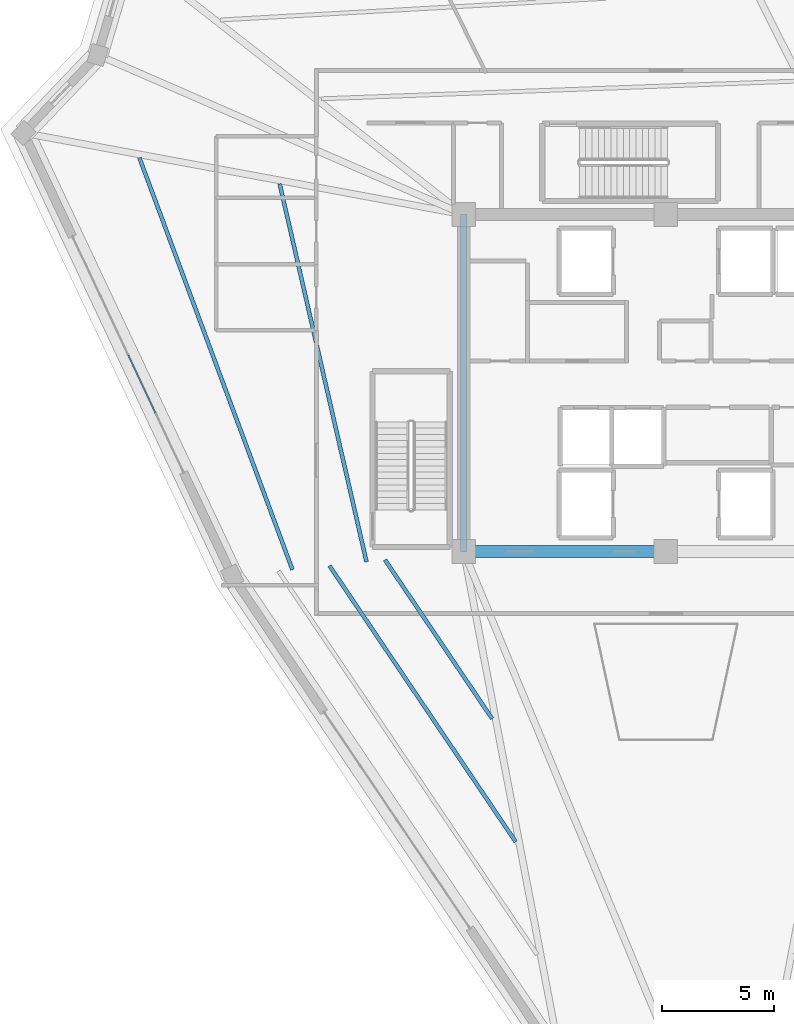
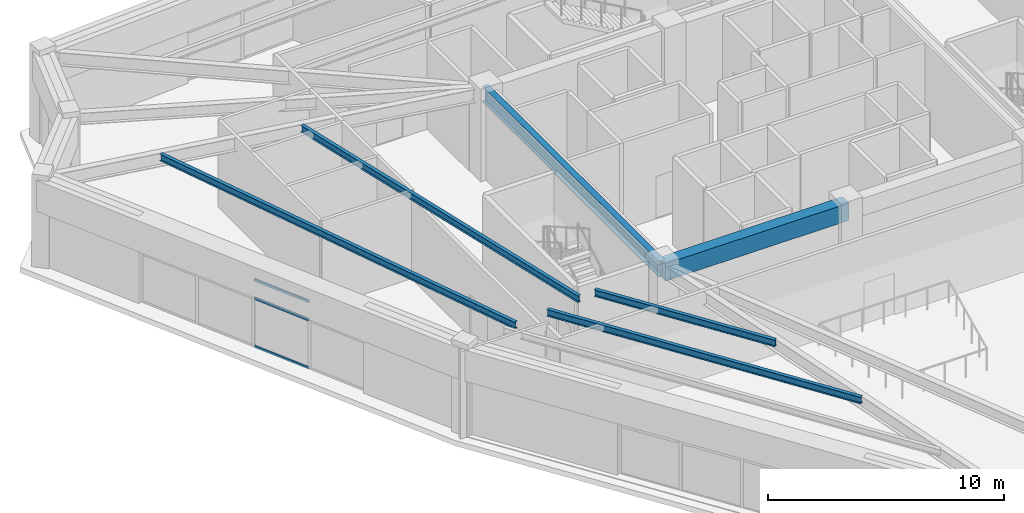
# One storey, part 9 of 40: 6 beams, 3 members, 1 element without a shape of its own.
"""IFC4 building model written with IfcOpenShell, lengths in metres."""

from ifc_helpers import new_model, si_unit, direction, frame, origin, origin_2d, place, context, subcontext, project, spatial, rectangle, hollow_rectangle, i_section, extrude, source, transform, mapped, material, layer, layer_set, material_profile, profile_set, type_object, element, aggregate, save


model = new_model("IFC4")

# Units and contexts
model_context = context("Model", 3, precision=1e-05, world=origin(), true_north=direction((0.0, 1.0)))
body_context = subcontext(model_context, "Body", "Model", "MODEL_VIEW")
ifc_project = project(units=[si_unit("LENGTHUNIT", "METRE"), si_unit("AREAUNIT", "SQUARE_METRE"), si_unit("VOLUMEUNIT", "CUBIC_METRE"), si_unit("PLANEANGLEUNIT", "RADIAN"), si_unit("MASSUNIT", "GRAM", prefix="KILO")], contexts=[model_context])

# Site, building, storey
site_placement = place(None, origin())
site = spatial("IfcSite", under=ifc_project, at=site_placement, CompositionType="ELEMENT")
building_placement = place(site_placement, origin())
building = spatial("IfcBuilding", under=site, at=building_placement, Name="Liaohun Quay Tower", CompositionType="ELEMENT")
storey_placement = place(building_placement, frame((0.0, 0.0, 351.0)))
storey = spatial("IfcBuildingStorey", under=building, at=storey_placement, Name="L91", CompositionType="ELEMENT", Elevation=351.0)

# Beams
ifc_material_1 = material(Name="Steel Q355D", Category="steel")
ifc_material_profile_1 = material_profile(ifc_material_1, i_section(OverallWidth=0.300048828125, OverallDepth=0.800048828125, WebThickness=0.013916015625, FlangeThickness=0.02587890625, at=origin_2d()), Name="HN800x300x14x26")
ifc_profile_set_1 = profile_set([ifc_material_profile_1], Name="Steel Q355D")
beam_type_1 = type_object("IfcBeamType", Name="BM-RAD-M1", PredefinedType="BEAM", material=ifc_profile_set_1)
shared_shape_1 = source(origin(), body_context, "Body", "SweptSolid", [
    extrude(i_section(OverallWidth=0.300048828125, OverallDepth=0.800048828125, WebThickness=0.013916015625, FlangeThickness=0.02587890625, at=origin_2d()), origin(), (0.0, 0.0, 1.0), 15.0),
])
beam_1_placement = place(storey_placement, frame((51.0, 61.5, 4.1201171875), z_axis=(0.0, -1.0, 0.0), x_axis=(1.0, 0.0, 0.0)))
element("IfcBeam", 1, at=beam_1_placement, inside=storey, type_object=beam_type_1, Name="L91 Core Coupling/Ring Beam CC6-CC1", PredefinedType="BEAM", context=body_context, shape_type="MappedRepresentation", body=[
    mapped(shared_shape_1, transform((0.0, 0.0, 0.0), x_axis=(1.0, 0.0, 0.0), y_axis=(0.0, 1.0, 0.0), z_axis=(0.0, 0.0, 1.0), scale=1.0)),
])
ifc_material_2 = material(Name="Concrete C55", Category="concrete")
ifc_material_profile_2 = material_profile(ifc_material_2, rectangle(XDim=0.550048828125, YDim=0.89990234375, at=origin_2d()), Name="RC550x900")
ifc_profile_set_2 = profile_set([ifc_material_profile_2], Name="Concrete C55")
beam_type_2 = type_object("IfcBeamType", Name="BM-CPL-2", PredefinedType="LINTEL", material=ifc_profile_set_2)
shared_shape_2 = source(origin(), body_context, "Body", "SweptSolid", [
    extrude(rectangle(XDim=0.550048828125, YDim=0.89990234375, at=origin_2d()), origin(), (0.0, 0.0, 1.0), 9.0),
])
beam_2_placement = place(storey_placement, frame((51.0, 46.5, 4.070068359375), z_axis=(1.0, 0.0, 0.0), x_axis=(0.0, 1.0, 0.0)))
element("IfcBeam", 2, at=beam_2_placement, inside=storey, type_object=beam_type_2, Name="L91 Core Coupling/Ring Beam CC1-CC2", PredefinedType="LINTEL", context=body_context, shape_type="MappedRepresentation", body=[
    mapped(shared_shape_2, transform((0.0, 0.0, 0.0), x_axis=(1.0, 0.0, 0.0), y_axis=(0.0, 1.0, 0.0), z_axis=(0.0, 0.0, 1.0), scale=1.0)),
])
ifc_material_profile_3 = material_profile(ifc_material_1, i_section(OverallWidth=0.175048828125, OverallDepth=0.35009765625, WebThickness=0.007080078125, FlangeThickness=0.010986328125, at=origin_2d()), Name="HN350x175x7x11")
ifc_profile_set_3 = profile_set([ifc_material_profile_3], Name="Steel Q355D")
beam_type_3 = type_object("IfcBeamType", Name="BM-SEC-J3", PredefinedType="JOIST", material=ifc_profile_set_3)
shared_shape_3 = source(origin(), body_context, "Body", "SweptSolid", [
    extrude(i_section(OverallWidth=0.175048828125, OverallDepth=0.35009765625, WebThickness=0.007080078125, FlangeThickness=0.010986328125, at=origin_2d()), origin(), (0.0, 0.0, 1.0), 8.52978515625),
])
beam_3_placement = place(storey_placement, frame((52.26708984375, 39.055908203125, 4.344970703125), z_axis=(-0.559104607918, 0.829097121817, 0.0), x_axis=(-0.829097121817, -0.559104607918, 0.0)))
element("IfcBeam", 3, at=beam_3_placement, inside=storey, type_object=beam_type_3, Name="L91 Wing Secondary Floor Joist SJ-01", PredefinedType="JOIST", context=body_context, shape_type="MappedRepresentation", body=[
    mapped(shared_shape_3, transform((0.0, 0.0, 0.0), x_axis=(1.0, 0.0, 0.0), y_axis=(0.0, 1.0, 0.0), z_axis=(0.0, 0.0, 1.0), scale=1.0)),
])
shared_shape_4 = source(origin(), body_context, "Body", "SweptSolid", [
    extrude(i_section(OverallWidth=0.175048828125, OverallDepth=0.35009765625, WebThickness=0.007080078125, FlangeThickness=0.010986328125, at=origin_2d()), origin(), (0.0, 0.0, 1.0), 14.819580078125),
])
beam_4_placement = place(storey_placement, frame((53.31201171875, 33.5791015625, 4.344970703125), z_axis=(-0.559200918923, 0.829032166008, 0.0), x_axis=(-0.829032166008, -0.559200918923, 0.0)))
element("IfcBeam", 4, at=beam_4_placement, inside=storey, type_object=beam_type_3, Name="L91 Wing Secondary Floor Joist SJ-02", PredefinedType="JOIST", context=body_context, shape_type="MappedRepresentation", body=[
    mapped(shared_shape_4, transform((0.0, 0.0, 0.0), x_axis=(1.0, 0.0, 0.0), y_axis=(0.0, 1.0, 0.0), z_axis=(0.0, 0.0, 1.0), scale=1.0)),
])
shared_shape_5 = source(origin(), body_context, "Body", "SweptSolid", [
    extrude(i_section(OverallWidth=0.175048828125, OverallDepth=0.35009765625, WebThickness=0.007080078125, FlangeThickness=0.010986328125, at=origin_2d()), origin(), (0.0, 0.0, 1.0), 17.26416015625),
])
beam_5_placement = place(storey_placement, frame((46.674072265625, 46.0400390625, 4.344970703125), z_axis=(-0.223874094607, 0.974618073793, 0.0), x_axis=(-0.974618073793, -0.223874094607, 0.0)))
element("IfcBeam", 5, at=beam_5_placement, inside=storey, type_object=beam_type_3, Name="L91 Wing Secondary Floor Joist SJ-04", PredefinedType="JOIST", context=body_context, shape_type="MappedRepresentation", body=[
    mapped(shared_shape_5, transform((0.0, 0.0, 0.0), x_axis=(1.0, 0.0, 0.0), y_axis=(0.0, 1.0, 0.0), z_axis=(0.0, 0.0, 1.0), scale=1.0)),
])
shared_shape_6 = source(origin(), body_context, "Body", "SweptSolid", [
    extrude(i_section(OverallWidth=0.175048828125, OverallDepth=0.35009765625, WebThickness=0.007080078125, FlangeThickness=0.010986328125, at=origin_2d()), origin(), (0.0, 0.0, 1.0), 19.5576171875),
])
beam_6_placement = place(storey_placement, frame((43.376953125, 45.68994140625, 4.344970703125), z_axis=(-0.348303746333, 0.937381726028, 0.0), x_axis=(-0.937381726028, -0.348303746333, 0.0)))
element("IfcBeam", 6, at=beam_6_placement, inside=storey, type_object=beam_type_3, Name="L91 Wing Secondary Floor Joist SJ-05", PredefinedType="JOIST", context=body_context, shape_type="MappedRepresentation", body=[
    mapped(shared_shape_6, transform((0.0, 0.0, 0.0), x_axis=(1.0, 0.0, 0.0), y_axis=(0.0, 1.0, 0.0), z_axis=(0.0, 0.0, 1.0), scale=1.0)),
])

# Curtain wall, members
ifc_material_3 = material(Name="Observation gallery panoramic triple-glazed curtain wall")
ifc_layer = layer(ifc_material_3, 0.219970703125, Name="Observation gallery panoramic triple-glazed curtain wall")
ifc_layer_set = layer_set([ifc_layer], Name="Observation gallery panoramic triple-glazed curtain wall")
curtain_wall_type = type_object("IfcCurtainWallType", Name="CW-OBS-CRN", PredefinedType="NOTDEFINED", material=ifc_layer_set)
curtain_wall_placement = place(storey_placement, origin())
curtain_wall = element("IfcCurtainWall", 7, at=curtain_wall_placement, inside=storey, type_object=curtain_wall_type, Name="L91 Panoramic Belvedere Curtain Wall 05", PredefinedType="NOTDEFINED")
ifc_material_4 = material(Name="Anodised aluminium 6063-T6", Category="aluminium")
ifc_material_profile_4 = material_profile(ifc_material_4, hollow_rectangle(XDim=0.06005859375, YDim=0.135009765625, WallThickness=0.00390625, at=origin_2d()), Name="RHS135x60x4")
ifc_profile_set_4 = profile_set([ifc_material_profile_4], Name="Anodised aluminium 6063-T6")
member_type = type_object("IfcMemberType", Name="MEM-CWT-SKY", PredefinedType="USERDEFINED", material=ifc_profile_set_4)
shared_shape_7 = source(origin(), body_context, "Body", "SweptSolid", [
    extrude(hollow_rectangle(XDim=0.06005859375, YDim=0.135009765625, WallThickness=0.00390625, at=origin_2d()), origin(), (0.0, 0.0, 1.0), 2.835205078125),
])
member_1_placement = place(storey_placement, frame((36.06884765625, 55.238525390625, 0.030029296875), z_axis=(0.425975341971, -0.904734772203, 0.0), x_axis=(0.904734772203, 0.425975341971, 0.0)))
member_1 = element("IfcMember", 8, at=member_1_placement, type_object=member_type, Name="CW6 transom 3.1", ObjectType="TRANSOM", PredefinedType="USERDEFINED", context=body_context, shape_type="MappedRepresentation", body=[
    mapped(shared_shape_7, transform((0.0, 0.0, 0.0), x_axis=(1.0, 0.0, 0.0), y_axis=(0.0, 1.0, 0.0), z_axis=(0.0, 0.0, 1.0), scale=1.0)),
])
member_2_placement = place(storey_placement, frame((36.06884765625, 55.238525390625, 2.52001953125), z_axis=(0.425975341971, -0.904734772203, 0.0), x_axis=(0.904734772203, 0.425975341971, 0.0)))
member_2 = element("IfcMember", 9, at=member_2_placement, type_object=member_type, Name="CW6 transom 3.2", ObjectType="TRANSOM", PredefinedType="USERDEFINED", context=body_context, shape_type="MappedRepresentation", body=[
    mapped(shared_shape_7, transform((0.0, 0.0, 0.0), x_axis=(1.0, 0.0, 0.0), y_axis=(0.0, 1.0, 0.0), z_axis=(0.0, 0.0, 1.0), scale=1.0)),
])
member_3_placement = place(storey_placement, frame((36.06884765625, 55.238525390625, 3.469970703125), z_axis=(0.425975341971, -0.904734772203, 0.0), x_axis=(0.904734772203, 0.425975341971, 0.0)))
member_3 = element("IfcMember", 10, at=member_3_placement, type_object=member_type, Name="CW6 transom 3.3", ObjectType="TRANSOM", PredefinedType="USERDEFINED", context=body_context, shape_type="MappedRepresentation", body=[
    mapped(shared_shape_7, transform((0.0, 0.0, 0.0), x_axis=(1.0, 0.0, 0.0), y_axis=(0.0, 1.0, 0.0), z_axis=(0.0, 0.0, 1.0), scale=1.0)),
])
aggregate(curtain_wall, [member_1, member_2, member_3])

save(model, "model.ifc")
